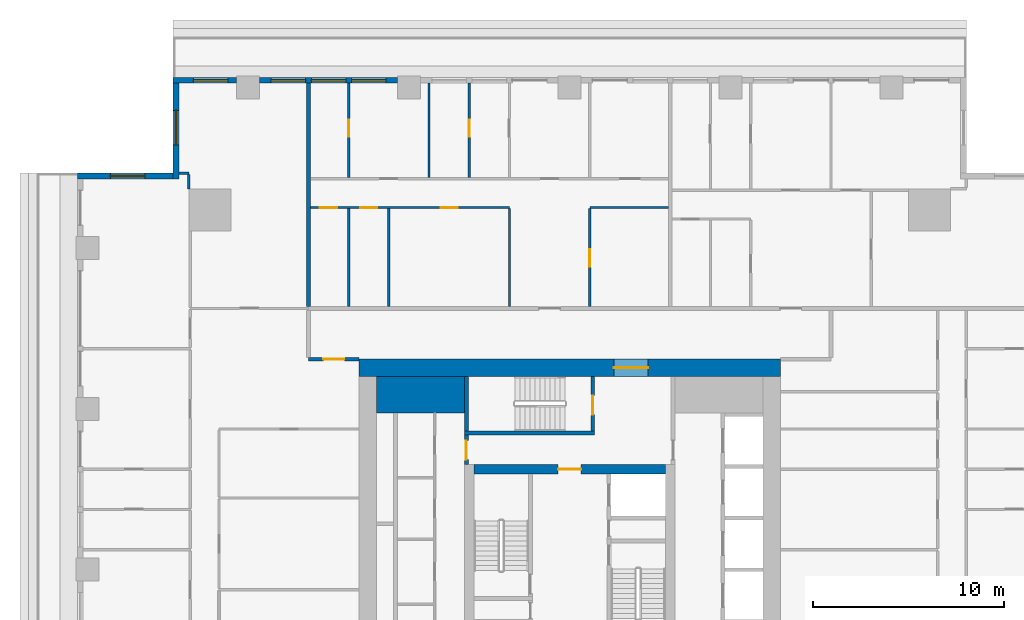
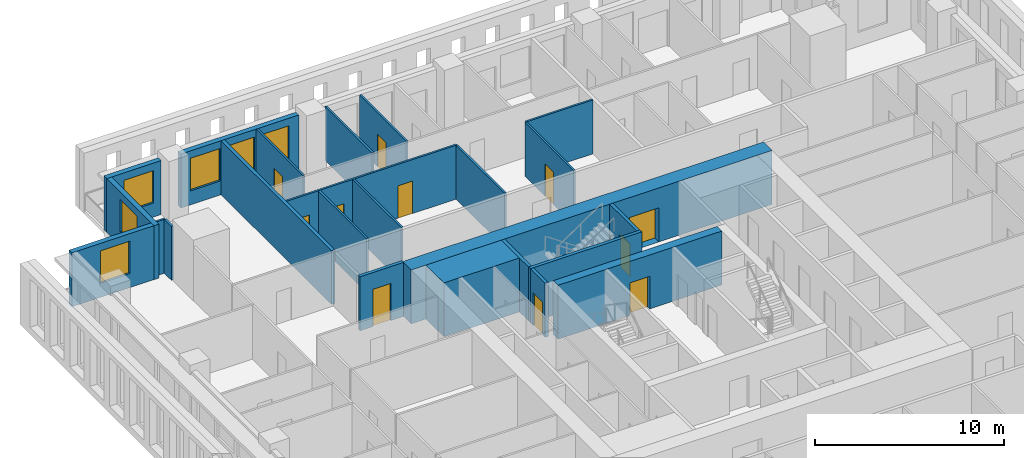
# One storey, part 7 of 15: 24 walls, 11 doors, 6 windows, 17 openings.
"""IFC4 building model written with IfcOpenShell, lengths in metres."""

from ifc_helpers import new_model, si_unit, direction, frame, frame_2d, origin, place, context, subcontext, project, spatial, rectangle, extrude, material, layer, layer_set, type_object, element, fill, save


model = new_model("IFC4")

# Units and contexts
model_context = context("Model", 3, precision=1e-05, world=origin(), true_north=direction((0.0, 1.0)))
body_context = subcontext(model_context, "Body", "Model", "MODEL_VIEW")
ifc_project = project(units=[si_unit("LENGTHUNIT", "METRE"), si_unit("AREAUNIT", "SQUARE_METRE"), si_unit("VOLUMEUNIT", "CUBIC_METRE"), si_unit("PLANEANGLEUNIT", "RADIAN"), si_unit("MASSUNIT", "GRAM", prefix="KILO")], contexts=[model_context])

# Site, building, storey
site_placement = place(None, origin())
site = spatial("IfcSite", under=ifc_project, at=site_placement, CompositionType="ELEMENT")
building_placement = place(site_placement, origin())
building = spatial("IfcBuilding", under=site, at=building_placement, Name="Khepri Terraces", CompositionType="ELEMENT")
storey_placement = place(building_placement, frame((0.0, 0.0, 244.5)))
storey = spatial("IfcBuildingStorey", under=building, at=storey_placement, Name="L58", CompositionType="ELEMENT", Elevation=244.5)

# Walls
ifc_material_1 = material(Name="Concrete C40/50", Category="concrete")
ifc_layer_1 = layer(ifc_material_1, 1.89990234375, Name="Concrete C40/50", Category="concrete")
ifc_layer_set_1 = layer_set([ifc_layer_1], Name="Concrete C40/50")
wall_type_1 = type_object("IfcWallType", Name="Core wall 1900 C40/50", PredefinedType="SHEAR", material=ifc_layer_set_1)
wall_1_placement = place(storey_placement, frame((-10.10009765625, 9.14990234375, 0.0), z_axis=(0.0, 0.0, 1.0), x_axis=(1.0, 0.0, 0.0)))
element("IfcWall", 1, at=wall_1_placement, inside=storey, type_object=wall_type_1, Name="Core wall PR03 L58", PredefinedType="SHEAR", context=body_context, shape_type="SweptSolid", body=[
    extrude(rectangle(XDim=4.60009765625, YDim=1.89990234375, at=frame_2d((2.300048828125, 0.0))), origin(), (0.0, 0.0, 1.0), 3.47998046875),
])
ifc_layer_2 = layer(ifc_material_1, 0.199951171875, Name="Concrete C40/50", Category="concrete")
ifc_layer_set_2 = layer_set([ifc_layer_2], Name="Concrete C40/50")
wall_type_2 = type_object("IfcWallType", Name="Core wall 200 C40/50", PredefinedType="SHEAR", material=ifc_layer_set_2)
wall_2_placement = place(storey_placement, frame((-5.5, 7.14990234375, 0.0), z_axis=(0.0, 0.0, 1.0), x_axis=(1.0, 0.0, 0.0)))
element("IfcWall", 2, at=wall_2_placement, inside=storey, type_object=wall_type_2, Name="Core wall ST05 L58", PredefinedType="SHEAR", context=body_context, shape_type="SweptSolid", body=[
    extrude(rectangle(XDim=6.800048828125, YDim=0.199951171875, at=frame_2d((3.39990234375, 0.0))), origin(), (0.0, 0.0, 1.0), 3.47998046875),
])
wall_3_placement = place(storey_placement, frame((-5.39990234375, 7.25, 0.0), z_axis=(0.0, 0.0, 1.0), x_axis=(0.0, 1.0, 0.0)))
element("IfcWall", 3, at=wall_3_placement, inside=storey, type_object=wall_type_2, Name="Core wall ST06 L58", PredefinedType="SHEAR", context=body_context, shape_type="SweptSolid", body=[
    extrude(rectangle(XDim=2.85009765625, YDim=0.199951171875, at=frame_2d((1.425048828125, 0.0))), origin(), (0.0, 0.0, 1.0), 3.47998046875),
])

# Wall, opening, door
wall_4_placement = place(storey_placement, frame((1.199951171875, 7.25, 0.0), z_axis=(0.0, 0.0, 1.0), x_axis=(0.0, 1.0, 0.0)))
wall_4 = element("IfcWall", 4, at=wall_4_placement, inside=storey, type_object=wall_type_2, Name="Core wall ST07 L58", PredefinedType="SHEAR", context=body_context, shape_type="SweptSolid", body=[
    extrude(rectangle(XDim=2.85009765625, YDim=0.199951171875, at=frame_2d((1.425048828125, 0.0))), origin(), (0.0, 0.0, 1.0), 3.47998046875),
])
opening_1_placement = place(wall_4_placement, frame((0.85009765625, 0.0, 0.0)))
opening_1 = element("IfcOpeningElement", 5, at=opening_1_placement, cuts=wall_4, Name="Opening L58-C15", PredefinedType="OPENING", context=body_context, shape_type="SweptSolid", body=[
    extrude(rectangle(XDim=1.0, YDim=2.10009765625, at=frame_2d((0.5, 1.050048828125))), frame((0.0, 0.10986328125, 0.0), z_axis=(0.0, -1.0, 0.0), x_axis=(1.0, 0.0, 0.0)), (0.0, 0.0, 1.0), 0.219970703125),
])
ifc_material_2 = material(Name="Painted steel", Category="steel")
door_type_1 = type_object("IfcDoorType", Name="DR-CORE-STAIR-1000", OperationType="NOTDEFINED", PredefinedType="DOOR", material=ifc_material_2)
door_1_placement = place(opening_1_placement, origin())
door_1 = element("IfcDoor", 6, at=door_1_placement, inside=storey, type_object=door_type_1, Name="Stair door L58-C15", OperationType="SINGLE_SWING_LEFT", OverallHeight=2.10009765625, OverallWidth=1.0, PredefinedType="DOOR", context=body_context, shape_type="SweptSolid", body=[
    extrude(rectangle(XDim=1.0, YDim=2.10009765625, at=frame_2d((0.5, 1.050048828125))), frame((0.0, 0.02490234375, 0.0), z_axis=(0.0, -1.0, 0.0), x_axis=(1.0, 0.0, 0.0)), (0.0, 0.0, 1.0), 0.050048828125),
])
fill(opening_1, door_1)

ifc_layer_3 = layer(ifc_material_1, 0.5, Name="Concrete C40/50", Category="concrete")
ifc_layer_set_3 = layer_set([ifc_layer_3], Name="Concrete C40/50")
wall_type_3 = type_object("IfcWallType", Name="Core wall 500 C40/50", PredefinedType="SHEAR", material=ifc_layer_set_3)
wall_5_placement = place(storey_placement, frame((-5.0, 5.25, 0.0), z_axis=(0.0, 0.0, 1.0), x_axis=(1.0, 0.0, 0.0)))
wall_5 = element("IfcWall", 7, at=wall_5_placement, inside=storey, type_object=wall_type_3, Name="Core wall BX04 L58", PredefinedType="SHEAR", context=body_context, shape_type="SweptSolid", body=[
    extrude(rectangle(XDim=10.0, YDim=0.5, at=frame_2d((5.0, 0.0))), origin(), (0.0, 0.0, 1.0), 3.47998046875),
])
opening_2_placement = place(wall_5_placement, frame((4.39990234375, 0.0, 0.0)))
opening_2 = element("IfcOpeningElement", 8, at=opening_2_placement, cuts=wall_5, Name="Opening L58-C13", PredefinedType="OPENING", context=body_context, shape_type="SweptSolid", body=[
    extrude(rectangle(XDim=1.199951171875, YDim=2.10009765625, at=frame_2d((0.60009765625, 1.050048828125))), frame((0.0, 0.260009765625, 0.0), z_axis=(0.0, -1.0, 0.0), x_axis=(1.0, 0.0, 0.0)), (0.0, 0.0, 1.0), 0.52001953125),
])
door_type_2 = type_object("IfcDoorType", Name="DR-CORE-FF-LOBBY-1200", OperationType="NOTDEFINED", PredefinedType="DOOR", material=ifc_material_2)
door_2_placement = place(opening_2_placement, frame((1.199951171875, 0.0, 0.0), z_axis=(0.0, 0.0, 1.0), x_axis=(-1.0, 0.0, 0.0)))
door_2 = element("IfcDoor", 9, at=door_2_placement, inside=storey, type_object=door_type_2, Name="Firefighting lobby door L58-C13", OperationType="SINGLE_SWING_LEFT", OverallHeight=2.10009765625, OverallWidth=1.199951171875, PredefinedType="DOOR", context=body_context, shape_type="SweptSolid", body=[
    extrude(rectangle(XDim=1.199951171875, YDim=2.10009765625, at=frame_2d((0.60009765625, 1.050048828125))), frame((0.0, 0.02490234375, 0.0), z_axis=(0.0, -1.0, 0.0), x_axis=(1.0, 0.0, 0.0)), (0.0, 0.0, 1.0), 0.050048828125),
])
fill(opening_2, door_2)

ifc_layer_4 = layer(ifc_material_1, 0.89990234375, Name="Concrete C40/50", Category="concrete")
ifc_layer_set_4 = layer_set([ifc_layer_4], Name="Concrete C40/50")
wall_type_4 = type_object("IfcWallType", Name="Core wall 900 C40/50", PredefinedType="SHEAR", material=ifc_layer_set_4)
wall_6_placement = place(storey_placement, frame((-11.0, 10.550048828125, 0.0), z_axis=(0.0, 0.0, 1.0), x_axis=(1.0, 0.0, 0.0)))
wall_6 = element("IfcWall", 10, at=wall_6_placement, inside=storey, type_object=wall_type_4, Name="Core wall OW-N L58", PredefinedType="SHEAR", context=body_context, shape_type="SweptSolid", body=[
    extrude(rectangle(XDim=22.0, YDim=0.89990234375, at=frame_2d((11.0, 0.0))), origin(), (0.0, 0.0, 1.0), 3.47998046875),
])
opening_3_placement = place(wall_6_placement, frame((13.300048828125, 0.0, 0.0)))
opening_3 = element("IfcOpeningElement", 11, at=opening_3_placement, cuts=wall_6, Name="Opening L58-C20", PredefinedType="OPENING", context=body_context, shape_type="SweptSolid", body=[
    extrude(rectangle(XDim=1.800048828125, YDim=2.199951171875, at=frame_2d((0.89990234375, 1.10009765625))), frame((0.0, 0.4599609375, 0.0), z_axis=(0.0, -1.0, 0.0), x_axis=(1.0, 0.0, 0.0)), (0.0, 0.0, 1.0), 0.919921875),
])
door_type_3 = type_object("IfcDoorType", Name="DR-CORE-ENTRANCE-1800", OperationType="NOTDEFINED", PredefinedType="DOOR", material=ifc_material_2)
door_3_placement = place(opening_3_placement, origin())
door_3 = element("IfcDoor", 12, at=door_3_placement, inside=storey, type_object=door_type_3, Name="Core entrance door pair L58-C20", OperationType="DOUBLE_DOOR_SINGLE_SWING", OverallHeight=2.199951171875, OverallWidth=1.800048828125, PredefinedType="DOOR", context=body_context, shape_type="SweptSolid", body=[
    extrude(rectangle(XDim=1.800048828125, YDim=2.199951171875, at=frame_2d((0.89990234375, 1.10009765625))), frame((0.0, 0.02490234375, 0.0), z_axis=(0.0, -1.0, 0.0), x_axis=(1.0, 0.0, 0.0)), (0.0, 0.0, 1.0), 0.050048828125),
])
fill(opening_3, door_3)

ifc_material_3 = material(Name="Fire-rated gypsum board partition")
ifc_layer_5 = layer(ifc_material_3, 0.199951171875, Name="Fire-rated gypsum board partition")
ifc_layer_set_5 = layer_set([ifc_layer_5], Name="Fire-rated gypsum board partition")
wall_type_5 = type_object("IfcWallType", Name="WL-CORE-PART-200", PredefinedType="PARTITIONING", material=ifc_layer_set_5)
wall_7_placement = place(storey_placement, frame((-5.39990234375, 5.5, 0.0), z_axis=(0.0, 0.0, 1.0), x_axis=(0.0, 1.0, 0.0)))
wall_7 = element("IfcWall", 13, at=wall_7_placement, inside=storey, type_object=wall_type_5, Name="Core partition PT12 L58", PredefinedType="PARTITIONING", context=body_context, shape_type="SweptSolid", body=[
    extrude(rectangle(XDim=1.550048828125, YDim=0.199951171875, at=frame_2d((0.77490234375, 0.0))), origin(), (0.0, 0.0, 1.0), 3.47998046875),
])
opening_4_placement = place(wall_7_placement, frame((0.25, 0.0, 0.0)))
opening_4 = element("IfcOpeningElement", 14, at=opening_4_placement, cuts=wall_7, Name="Opening L58-C16", PredefinedType="OPENING", context=body_context, shape_type="SweptSolid", body=[
    extrude(rectangle(XDim=1.0, YDim=2.10009765625, at=frame_2d((0.5, 1.050048828125))), frame((0.0, 0.10986328125, 0.0), z_axis=(0.0, -1.0, 0.0), x_axis=(1.0, 0.0, 0.0)), (0.0, 0.0, 1.0), 0.219970703125),
])
door_type_4 = type_object("IfcDoorType", Name="DR-CORE-LOBBY-1000", OperationType="NOTDEFINED", PredefinedType="DOOR", material=ifc_material_2)
door_4_placement = place(opening_4_placement, frame((1.0, 0.0, 0.0), z_axis=(0.0, 0.0, 1.0), x_axis=(-1.0, 0.0, 0.0)))
door_4 = element("IfcDoor", 15, at=door_4_placement, inside=storey, type_object=door_type_4, Name="Lobby door L58-C16", OperationType="SINGLE_SWING_RIGHT", OverallHeight=2.10009765625, OverallWidth=1.0, PredefinedType="DOOR", context=body_context, shape_type="SweptSolid", body=[
    extrude(rectangle(XDim=1.0, YDim=2.10009765625, at=frame_2d((0.5, 1.050048828125))), frame((0.0, 0.02490234375, 0.0), z_axis=(0.0, -1.0, 0.0), x_axis=(1.0, 0.0, 0.0)), (0.0, 0.0, 1.0), 0.050048828125),
])
fill(opening_4, door_4)

ifc_material_4 = material(Name="Fire-rated gypsum plasterboard partition, mineral wool")
ifc_layer_6 = layer(ifc_material_4, 0.199951171875, Name="Fire-rated gypsum plasterboard partition, mineral wool")
ifc_layer_set_6 = layer_set([ifc_layer_6], Name="Fire-rated gypsum plasterboard partition, mineral wool")
wall_type_6 = type_object("IfcWallType", Name="WL-CORR-200", PredefinedType="PARTITIONING", material=ifc_layer_set_6)
wall_8_placement = place(storey_placement, frame((-13.64990234375, 11.0, 0.0), z_axis=(0.0, 0.0, 1.0), x_axis=(1.0, 0.0, 0.0)))
wall_8 = element("IfcWall", 16, at=wall_8_placement, inside=storey, type_object=wall_type_6, Name="Partition P-074 L58", PredefinedType="PARTITIONING", context=body_context, shape_type="SweptSolid", body=[
    extrude(rectangle(XDim=2.64990234375, YDim=0.199951171875, at=frame_2d((1.324951171875, 0.0))), origin(), (0.0, 0.0, 1.0), 3.47998046875),
])
opening_5_placement = place(wall_8_placement, frame((0.77490234375, 0.0, 0.0)))
opening_5 = element("IfcOpeningElement", 17, at=opening_5_placement, cuts=wall_8, Name="Opening D1", PredefinedType="OPENING", context=body_context, shape_type="SweptSolid", body=[
    extrude(rectangle(XDim=1.10009765625, YDim=2.39990234375, at=frame_2d((0.550048828125, 1.199951171875))), frame((0.0, 0.10986328125, 0.0), z_axis=(0.0, -1.0, 0.0), x_axis=(1.0, 0.0, 0.0)), (0.0, 0.0, 1.0), 0.219970703125),
])
ifc_material_5 = material(Name="Solid-core timber door leaf, flat entrance door", Category="wood")
door_type_5 = type_object("IfcDoorType", Name="DR-ENT-1100", OperationType="NOTDEFINED", PredefinedType="DOOR", material=ifc_material_5)
door_5_placement = place(opening_5_placement, frame((1.10009765625, 0.0, 0.0), z_axis=(0.0, 0.0, 1.0), x_axis=(-1.0, 0.0, 0.0)))
door_5 = element("IfcDoor", 18, at=door_5_placement, inside=storey, type_object=door_type_5, Name="Flat D1 entrance door", OperationType="SINGLE_SWING_LEFT", OverallHeight=2.39990234375, OverallWidth=1.10009765625, PredefinedType="DOOR", context=body_context, shape_type="SweptSolid", body=[
    extrude(rectangle(XDim=1.10009765625, YDim=2.39990234375, at=frame_2d((0.550048828125, 1.199951171875))), frame((0.0, 0.02490234375, 0.0), z_axis=(0.0, -1.0, 0.0), x_axis=(1.0, 0.0, 0.0)), (0.0, 0.0, 1.0), 0.050048828125),
])
fill(opening_5, door_5)

# Wall
wall_9_placement = place(storey_placement, frame((-13.64990234375, 13.75, 0.0), z_axis=(0.0, 0.0, 1.0), x_axis=(0.0, 1.0, 0.0)))
element("IfcWall", 19, at=wall_9_placement, inside=storey, type_object=wall_type_6, Name="Partition P-085 L58", PredefinedType="PARTITIONING", context=body_context, shape_type="SweptSolid", body=[
    extrude(rectangle(XDim=11.669921875, YDim=0.199951171875, at=frame_2d((5.8349609375, 0.0))), origin(), (0.0, 0.0, 1.0), 3.47998046875),
])

# Wall, openings, windows
ifc_material_6 = material(Name="Precast concrete C50/60 warm stone", Category="masonry")
ifc_layer_7 = layer(ifc_material_6, 0.300048828125, Name="Precast concrete C50/60 warm stone", Category="masonry")
ifc_layer_set_7 = layer_set([ifc_layer_7], Name="Precast concrete C50/60 warm stone")
wall_type_7 = type_object("IfcWallType", Name="WL-EXT-PRECAST-300", PredefinedType="STANDARD", material=ifc_layer_set_7)
wall_10_placement = place(storey_placement, frame((-9.0, 25.570068359375, 0.0), z_axis=(0.0, 0.0, 1.0), x_axis=(-1.0, 0.0, 0.0)))
wall_10 = element("IfcWall", 20, at=wall_10_placement, inside=storey, type_object=wall_type_7, Name="External wall L58 N", PredefinedType="STANDARD", context=body_context, shape_type="SweptSolid", body=[
    extrude(rectangle(XDim=7.199951171875, YDim=0.300048828125, at=frame_2d((3.60009765625, 0.0))), origin(), (0.0, 0.0, 1.0), 3.47998046875),
])
opening_6_placement = place(wall_10_placement, frame((0.60009765625, 0.0, 0.89990234375)))
opening_6 = element("IfcOpeningElement", 21, at=opening_6_placement, cuts=wall_10, Name="Opening W1", PredefinedType="OPENING", context=body_context, shape_type="SweptSolid", body=[
    extrude(rectangle(XDim=1.800048828125, YDim=2.10009765625, at=frame_2d((0.89990234375, 1.050048828125))), frame((0.0, 0.16015625, 0.0), z_axis=(0.0, -1.0, 0.0), x_axis=(1.0, 0.0, 0.0)), (0.0, 0.0, 1.0), 0.320068359375),
])
opening_7_placement = place(wall_10_placement, frame((2.699951171875, 0.0, 0.89990234375)))
opening_7 = element("IfcOpeningElement", 22, at=opening_7_placement, cuts=wall_10, Name="Opening W1", PredefinedType="OPENING", context=body_context, shape_type="SweptSolid", body=[
    extrude(rectangle(XDim=1.800048828125, YDim=2.10009765625, at=frame_2d((0.89990234375, 1.050048828125))), frame((0.0, 0.16015625, 0.0), z_axis=(0.0, -1.0, 0.0), x_axis=(1.0, 0.0, 0.0)), (0.0, 0.0, 1.0), 0.320068359375),
])
opening_8_placement = place(wall_10_placement, frame((4.800048828125, 0.0, 0.89990234375)))
opening_8 = element("IfcOpeningElement", 23, at=opening_8_placement, cuts=wall_10, Name="Opening W1", PredefinedType="OPENING", context=body_context, shape_type="SweptSolid", body=[
    extrude(rectangle(XDim=1.800048828125, YDim=2.10009765625, at=frame_2d((0.89990234375, 1.050048828125))), frame((0.0, 0.16015625, 0.0), z_axis=(0.0, -1.0, 0.0), x_axis=(1.0, 0.0, 0.0)), (0.0, 0.0, 1.0), 0.320068359375),
])
ifc_material_7 = material(Name="Clear glass", Category="glass")
window_type = type_object("IfcWindowType", Name="WIN-RES-1800x2100", PartitioningType="SINGLE_PANEL", PredefinedType="WINDOW", material=ifc_material_7)
window_1_placement = place(opening_6_placement, origin())
window_1 = element("IfcWindow", 24, at=window_1_placement, inside=storey, type_object=window_type, Name="Window L58 N", OverallHeight=2.10009765625, OverallWidth=1.800048828125, PartitioningType="SINGLE_PANEL", PredefinedType="WINDOW", context=body_context, shape_type="SweptSolid", body=[
    extrude(rectangle(XDim=1.800048828125, YDim=2.10009765625, at=frame_2d((0.89990234375, 1.050048828125))), frame((0.0, 0.030029296875, 0.0), z_axis=(0.0, -1.0, 0.0), x_axis=(1.0, 0.0, 0.0)), (0.0, 0.0, 1.0), 0.06005859375),
])
fill(opening_6, window_1)
window_2_placement = place(opening_7_placement, origin())
window_2 = element("IfcWindow", 25, at=window_2_placement, inside=storey, type_object=window_type, Name="Window L58 N", OverallHeight=2.10009765625, OverallWidth=1.800048828125, PartitioningType="SINGLE_PANEL", PredefinedType="WINDOW", context=body_context, shape_type="SweptSolid", body=[
    extrude(rectangle(XDim=1.800048828125, YDim=2.10009765625, at=frame_2d((0.89990234375, 1.050048828125))), frame((0.0, 0.030029296875, 0.0), z_axis=(0.0, -1.0, 0.0), x_axis=(1.0, 0.0, 0.0)), (0.0, 0.0, 1.0), 0.06005859375),
])
fill(opening_7, window_2)
window_3_placement = place(opening_8_placement, origin())
window_3 = element("IfcWindow", 26, at=window_3_placement, inside=storey, type_object=window_type, Name="Window L58 N", OverallHeight=2.10009765625, OverallWidth=1.800048828125, PartitioningType="SINGLE_PANEL", PredefinedType="WINDOW", context=body_context, shape_type="SweptSolid", body=[
    extrude(rectangle(XDim=1.800048828125, YDim=2.10009765625, at=frame_2d((0.89990234375, 1.050048828125))), frame((0.0, 0.030029296875, 0.0), z_axis=(0.0, -1.0, 0.0), x_axis=(1.0, 0.0, 0.0)), (0.0, 0.0, 1.0), 0.06005859375),
])
fill(opening_8, window_3)

# Wall, opening, window
wall_11_placement = place(storey_placement, frame((-17.39990234375, 25.570068359375, 0.0), z_axis=(0.0, 0.0, 1.0), x_axis=(-1.0, 0.0, 0.0)))
wall_11 = element("IfcWall", 27, at=wall_11_placement, inside=storey, type_object=wall_type_7, Name="External wall L58 N", PredefinedType="STANDARD", context=body_context, shape_type="SweptSolid", body=[
    extrude(rectangle(XDim=3.320068359375, YDim=0.300048828125, at=frame_2d((1.66015625, 0.0))), origin(), (0.0, 0.0, 1.0), 3.47998046875),
])
opening_9_placement = place(wall_11_placement, frame((0.45947265625, 0.0, 0.89990234375)))
opening_9 = element("IfcOpeningElement", 28, at=opening_9_placement, cuts=wall_11, Name="Opening W1", PredefinedType="OPENING", context=body_context, shape_type="SweptSolid", body=[
    extrude(rectangle(XDim=1.800048828125, YDim=2.10009765625, at=frame_2d((0.89990234375, 1.050048828125))), frame((0.0, 0.16015625, 0.0), z_axis=(0.0, -1.0, 0.0), x_axis=(1.0, 0.0, 0.0)), (0.0, 0.0, 1.0), 0.320068359375),
])
window_4_placement = place(opening_9_placement, origin())
window_4 = element("IfcWindow", 29, at=window_4_placement, inside=storey, type_object=window_type, Name="Window L58 N", OverallHeight=2.10009765625, OverallWidth=1.800048828125, PartitioningType="SINGLE_PANEL", PredefinedType="WINDOW", context=body_context, shape_type="SweptSolid", body=[
    extrude(rectangle(XDim=1.800048828125, YDim=2.10009765625, at=frame_2d((0.89990234375, 1.050048828125))), frame((0.0, 0.030029296875, 0.0), z_axis=(0.0, -1.0, 0.0), x_axis=(1.0, 0.0, 0.0)), (0.0, 0.0, 1.0), 0.06005859375),
])
fill(opening_9, window_4)

wall_12_placement = place(storey_placement, frame((-20.570068359375, 25.419921875, 0.0), z_axis=(0.0, 0.0, 1.0), x_axis=(0.0, -1.0, 0.0)))
wall_12 = element("IfcWall", 30, at=wall_12_placement, inside=storey, type_object=wall_type_7, Name="External wall L58 W", PredefinedType="STANDARD", context=body_context, shape_type="SweptSolid", body=[
    extrude(rectangle(XDim=5.0, YDim=0.300048828125, at=frame_2d((2.5, 0.0))), origin(), (0.0, 0.0, 1.0), 3.47998046875),
])
opening_10_placement = place(wall_12_placement, frame((1.419921875, 0.0, 0.89990234375)))
opening_10 = element("IfcOpeningElement", 31, at=opening_10_placement, cuts=wall_12, Name="Opening W1", PredefinedType="OPENING", context=body_context, shape_type="SweptSolid", body=[
    extrude(rectangle(XDim=1.800048828125, YDim=2.10009765625, at=frame_2d((0.89990234375, 1.050048828125))), frame((0.0, 0.16015625, 0.0), z_axis=(0.0, -1.0, 0.0), x_axis=(1.0, 0.0, 0.0)), (0.0, 0.0, 1.0), 0.320068359375),
])
window_5_placement = place(opening_10_placement, origin())
window_5 = element("IfcWindow", 32, at=window_5_placement, inside=storey, type_object=window_type, Name="Window L58 W", OverallHeight=2.10009765625, OverallWidth=1.800048828125, PartitioningType="SINGLE_PANEL", PredefinedType="WINDOW", context=body_context, shape_type="SweptSolid", body=[
    extrude(rectangle(XDim=1.800048828125, YDim=2.10009765625, at=frame_2d((0.89990234375, 1.050048828125))), frame((0.0, 0.030029296875, 0.0), z_axis=(0.0, -1.0, 0.0), x_axis=(1.0, 0.0, 0.0)), (0.0, 0.0, 1.0), 0.06005859375),
])
fill(opening_10, window_5)

wall_13_placement = place(storey_placement, frame((-20.719970703125, 20.570068359375, 0.0), z_axis=(0.0, 0.0, 1.0), x_axis=(-1.0, 0.0, 0.0)))
wall_13 = element("IfcWall", 33, at=wall_13_placement, inside=storey, type_object=wall_type_7, Name="External wall L58 N", PredefinedType="STANDARD", context=body_context, shape_type="SweptSolid", body=[
    extrude(rectangle(XDim=5.0, YDim=0.300048828125, at=frame_2d((2.5, 0.0))), origin(), (0.0, 0.0, 1.0), 3.47998046875),
])
opening_11_placement = place(wall_13_placement, frame((1.47998046875, 0.0, 0.89990234375)))
opening_11 = element("IfcOpeningElement", 34, at=opening_11_placement, cuts=wall_13, Name="Opening W1", PredefinedType="OPENING", context=body_context, shape_type="SweptSolid", body=[
    extrude(rectangle(XDim=1.800048828125, YDim=2.10009765625, at=frame_2d((0.89990234375, 1.050048828125))), frame((0.0, 0.16015625, 0.0), z_axis=(0.0, -1.0, 0.0), x_axis=(1.0, 0.0, 0.0)), (0.0, 0.0, 1.0), 0.320068359375),
])
window_6_placement = place(opening_11_placement, origin())
window_6 = element("IfcWindow", 35, at=window_6_placement, inside=storey, type_object=window_type, Name="Window L58 N", OverallHeight=2.10009765625, OverallWidth=1.800048828125, PartitioningType="SINGLE_PANEL", PredefinedType="WINDOW", context=body_context, shape_type="SweptSolid", body=[
    extrude(rectangle(XDim=1.800048828125, YDim=2.10009765625, at=frame_2d((0.89990234375, 1.050048828125))), frame((0.0, 0.030029296875, 0.0), z_axis=(0.0, -1.0, 0.0), x_axis=(1.0, 0.0, 0.0)), (0.0, 0.0, 1.0), 0.06005859375),
])
fill(opening_11, window_6)

# Walls
ifc_material_8 = material(Name="Gypsum plasterboard partition")
ifc_layer_8 = layer(ifc_material_8, 0.1201171875, Name="Gypsum plasterboard partition")
ifc_layer_set_8 = layer_set([ifc_layer_8], Name="Gypsum plasterboard partition")
wall_type_8 = type_object("IfcWallType", Name="WL-PART-120", PredefinedType="PARTITIONING", material=ifc_layer_set_8)
for number, where, z_axis, x_axis, name in (
    (36, (-11.550048828125, 13.75, 0.0), (0.0, 0.0, 1.0), (0.0, 1.0, 0.0), "Partition P-086 L58"),
    (37, (-9.449951171875, 13.75, 0.0), (0.0, 0.0, 1.0), (0.0, 1.0, 0.0), "Partition P-087 L58"),
    (38, (-3.14990234375, 13.75, 0.0), (0.0, 0.0, 1.0), (0.0, 1.0, 0.0), "Partition P-088 L58"),
):
    element("IfcWall", number, at=place(storey_placement, frame(where, z_axis=z_axis, x_axis=x_axis)), inside=storey, type_object=wall_type_8, Name=name, PredefinedType="PARTITIONING", context=body_context, shape_type="SweptSolid", body=[
        extrude(rectangle(XDim=5.110107421875, YDim=0.1201171875, at=frame_2d((2.55517578125, 0.0))), origin(), (0.0, 0.0, 1.0), 3.47998046875),
    ])

# Wall, opening, door
wall_14_placement = place(storey_placement, frame((1.050048828125, 13.75, 0.0), z_axis=(0.0, 0.0, 1.0), x_axis=(0.0, 1.0, 0.0)))
wall_14 = element("IfcWall", 39, at=wall_14_placement, inside=storey, type_object=wall_type_8, Name="Partition P-089 L58", PredefinedType="PARTITIONING", context=body_context, shape_type="SweptSolid", body=[
    extrude(rectangle(XDim=5.110107421875, YDim=0.1201171875, at=frame_2d((2.55517578125, 0.0))), origin(), (0.0, 0.0, 1.0), 3.47998046875),
])
opening_12_placement = place(wall_14_placement, frame((2.0849609375, 0.0, 0.0)))
opening_12 = element("IfcOpeningElement", 40, at=opening_12_placement, cuts=wall_14, Name="Opening D4", PredefinedType="OPENING", context=body_context, shape_type="SweptSolid", body=[
    extrude(rectangle(XDim=0.89990234375, YDim=2.10009765625, at=frame_2d((0.449951171875, 1.050048828125))), frame((0.0, 0.070068359375, 0.0), z_axis=(0.0, -1.0, 0.0), x_axis=(1.0, 0.0, 0.0)), (0.0, 0.0, 1.0), 0.14013671875),
])
ifc_material_9 = material(Name="Timber door leaf, moisture resistant", Category="wood")
door_type_6 = type_object("IfcDoorType", Name="DR-WET-900", OperationType="NOTDEFINED", PredefinedType="DOOR", material=ifc_material_9)
door_6_placement = place(opening_12_placement, frame((0.89990234375, 0.0, 0.0), z_axis=(0.0, 0.0, 1.0), x_axis=(-1.0, 0.0, 0.0)))
door_6 = element("IfcDoor", 41, at=door_6_placement, inside=storey, type_object=door_type_6, Name="Door Guest Bathroom", OperationType="SINGLE_SWING_RIGHT", OverallHeight=2.10009765625, OverallWidth=0.89990234375, PredefinedType="DOOR", context=body_context, shape_type="SweptSolid", body=[
    extrude(rectangle(XDim=0.89990234375, YDim=2.10009765625, at=frame_2d((0.449951171875, 1.050048828125))), frame((0.0, 0.02490234375, 0.0), z_axis=(0.0, -1.0, 0.0), x_axis=(1.0, 0.0, 0.0)), (0.0, 0.0, 1.0), 0.050048828125),
])
fill(opening_12, door_6)

# Wall, openings, doors
wall_15_placement = place(storey_placement, frame((-13.550048828125, 18.919921875, 0.0), z_axis=(0.0, 0.0, 1.0), x_axis=(1.0, 0.0, 0.0)))
wall_15 = element("IfcWall", 42, at=wall_15_placement, inside=storey, type_object=wall_type_8, Name="Partition P-095 L58", PredefinedType="PARTITIONING", context=body_context, shape_type="SweptSolid", body=[
    extrude(rectangle(XDim=10.400146484375, YDim=0.1201171875, at=frame_2d((5.2001953125, 0.0))), origin(), (0.0, 0.0, 1.0), 3.47998046875),
])
opening_13_placement = place(wall_15_placement, frame((6.800048828125, 0.0, 0.0)))
opening_13 = element("IfcOpeningElement", 43, at=opening_13_placement, cuts=wall_15, Name="Opening D3", PredefinedType="OPENING", context=body_context, shape_type="SweptSolid", body=[
    extrude(rectangle(XDim=0.89990234375, YDim=2.10009765625, at=frame_2d((0.449951171875, 1.050048828125))), frame((0.0, 0.070068359375, 0.0), z_axis=(0.0, -1.0, 0.0), x_axis=(1.0, 0.0, 0.0)), (0.0, 0.0, 1.0), 0.14013671875),
])
opening_14_placement = place(wall_15_placement, frame((2.60009765625, 0.0, 0.0)))
opening_14 = element("IfcOpeningElement", 44, at=opening_14_placement, cuts=wall_15, Name="Opening D4", PredefinedType="OPENING", context=body_context, shape_type="SweptSolid", body=[
    extrude(rectangle(XDim=0.89990234375, YDim=2.10009765625, at=frame_2d((0.449951171875, 1.050048828125))), frame((0.0, 0.070068359375, 0.0), z_axis=(0.0, -1.0, 0.0), x_axis=(1.0, 0.0, 0.0)), (0.0, 0.0, 1.0), 0.14013671875),
])
opening_15_placement = place(wall_15_placement, frame((0.5, 0.0, 0.0)))
opening_15 = element("IfcOpeningElement", 45, at=opening_15_placement, cuts=wall_15, Name="Opening D3", PredefinedType="OPENING", context=body_context, shape_type="SweptSolid", body=[
    extrude(rectangle(XDim=0.89990234375, YDim=2.10009765625, at=frame_2d((0.449951171875, 1.050048828125))), frame((0.0, 0.070068359375, 0.0), z_axis=(0.0, -1.0, 0.0), x_axis=(1.0, 0.0, 0.0)), (0.0, 0.0, 1.0), 0.14013671875),
])
ifc_material_10 = material(Name="Timber door leaf", Category="wood")
door_type_7 = type_object("IfcDoorType", Name="DR-INT-900", OperationType="NOTDEFINED", PredefinedType="DOOR", material=ifc_material_10)
door_7_placement = place(opening_13_placement, frame((0.89990234375, 0.0, 0.0), z_axis=(0.0, 0.0, 1.0), x_axis=(-1.0, 0.0, 0.0)))
door_7 = element("IfcDoor", 46, at=door_7_placement, inside=storey, type_object=door_type_7, Name="Door Kitchen", OperationType="SINGLE_SWING_LEFT", OverallHeight=2.10009765625, OverallWidth=0.89990234375, PredefinedType="DOOR", context=body_context, shape_type="SweptSolid", body=[
    extrude(rectangle(XDim=0.89990234375, YDim=2.10009765625, at=frame_2d((0.449951171875, 1.050048828125))), frame((0.0, 0.02490234375, 0.0), z_axis=(0.0, -1.0, 0.0), x_axis=(1.0, 0.0, 0.0)), (0.0, 0.0, 1.0), 0.050048828125),
])
fill(opening_13, door_7)
door_8_placement = place(opening_15_placement, frame((0.89990234375, 0.0, 0.0), z_axis=(0.0, 0.0, 1.0), x_axis=(-1.0, 0.0, 0.0)))
door_8 = element("IfcDoor", 47, at=door_8_placement, inside=storey, type_object=door_type_7, Name="Door Utility Room", OperationType="SINGLE_SWING_RIGHT", OverallHeight=2.10009765625, OverallWidth=0.89990234375, PredefinedType="DOOR", context=body_context, shape_type="SweptSolid", body=[
    extrude(rectangle(XDim=0.89990234375, YDim=2.10009765625, at=frame_2d((0.449951171875, 1.050048828125))), frame((0.0, 0.02490234375, 0.0), z_axis=(0.0, -1.0, 0.0), x_axis=(1.0, 0.0, 0.0)), (0.0, 0.0, 1.0), 0.050048828125),
])
fill(opening_15, door_8)
door_9_placement = place(opening_14_placement, frame((0.89990234375, 0.0, 0.0), z_axis=(0.0, 0.0, 1.0), x_axis=(-1.0, 0.0, 0.0)))
door_9 = element("IfcDoor", 48, at=door_9_placement, inside=storey, type_object=door_type_6, Name="Door Powder Room", OperationType="SINGLE_SWING_RIGHT", OverallHeight=2.10009765625, OverallWidth=0.89990234375, PredefinedType="DOOR", context=body_context, shape_type="SweptSolid", body=[
    extrude(rectangle(XDim=0.89990234375, YDim=2.10009765625, at=frame_2d((0.449951171875, 1.050048828125))), frame((0.0, 0.02490234375, 0.0), z_axis=(0.0, -1.0, 0.0), x_axis=(1.0, 0.0, 0.0)), (0.0, 0.0, 1.0), 0.050048828125),
])
fill(opening_14, door_9)

# Walls
wall_16_placement = place(storey_placement, frame((1.050048828125, 18.919921875, 0.0), z_axis=(0.0, 0.0, 1.0), x_axis=(1.0, 0.0, 0.0)))
element("IfcWall", 49, at=wall_16_placement, inside=storey, type_object=wall_type_8, Name="Partition P-096 L58", PredefinedType="PARTITIONING", context=body_context, shape_type="SweptSolid", body=[
    extrude(rectangle(XDim=4.099853515625, YDim=0.1201171875, at=frame_2d((2.0498046875, 0.0))), origin(), (0.0, 0.0, 1.0), 3.47998046875),
])
wall_17_placement = place(storey_placement, frame((-19.90087890625, 19.89990234375, 0.0), z_axis=(0.0, 0.0, 1.0), x_axis=(0.0, 1.0, 0.0)))
element("IfcWall", 50, at=wall_17_placement, inside=storey, type_object=wall_type_8, Name="Partition P-101 L58", PredefinedType="PARTITIONING", context=body_context, shape_type="SweptSolid", body=[
    extrude(rectangle(XDim=0.759033203125, YDim=0.1201171875, at=frame_2d((0.37939453125, 0.0))), origin(), (0.0, 0.0, 1.0), 3.47998046875),
])

# Wall, opening, door
wall_18_placement = place(storey_placement, frame((-11.550048828125, 20.47998046875, 0.0), z_axis=(0.0, 0.0, 1.0), x_axis=(0.0, 1.0, 0.0)))
wall_18 = element("IfcWall", 51, at=wall_18_placement, inside=storey, type_object=wall_type_8, Name="Partition P-105 L58", PredefinedType="PARTITIONING", context=body_context, shape_type="SweptSolid", body=[
    extrude(rectangle(XDim=4.93994140625, YDim=0.1201171875, at=frame_2d((2.469970703125, 0.0))), origin(), (0.0, 0.0, 1.0), 3.47998046875),
])
opening_16_placement = place(wall_18_placement, frame((2.139892578125, 0.0, 0.0)))
opening_16 = element("IfcOpeningElement", 52, at=opening_16_placement, cuts=wall_18, Name="Opening D4", PredefinedType="OPENING", context=body_context, shape_type="SweptSolid", body=[
    extrude(rectangle(XDim=0.89990234375, YDim=2.10009765625, at=frame_2d((0.449951171875, 1.050048828125))), frame((0.0, 0.070068359375, 0.0), z_axis=(0.0, -1.0, 0.0), x_axis=(1.0, 0.0, 0.0)), (0.0, 0.0, 1.0), 0.14013671875),
])
door_10_placement = place(opening_16_placement, origin())
door_10 = element("IfcDoor", 53, at=door_10_placement, inside=storey, type_object=door_type_6, Name="Door Bathroom", OperationType="SINGLE_SWING_RIGHT", OverallHeight=2.10009765625, OverallWidth=0.89990234375, PredefinedType="DOOR", context=body_context, shape_type="SweptSolid", body=[
    extrude(rectangle(XDim=0.89990234375, YDim=2.10009765625, at=frame_2d((0.449951171875, 1.050048828125))), frame((0.0, 0.02490234375, 0.0), z_axis=(0.0, -1.0, 0.0), x_axis=(1.0, 0.0, 0.0)), (0.0, 0.0, 1.0), 0.050048828125),
])
fill(opening_16, door_10)

# Wall
wall_19_placement = place(storey_placement, frame((-7.35009765625, 20.47998046875, 0.0), z_axis=(0.0, 0.0, 1.0), x_axis=(0.0, 1.0, 0.0)))
element("IfcWall", 54, at=wall_19_placement, inside=storey, type_object=wall_type_8, Name="Partition P-106 L58", PredefinedType="PARTITIONING", context=body_context, shape_type="SweptSolid", body=[
    extrude(rectangle(XDim=4.93994140625, YDim=0.1201171875, at=frame_2d((2.469970703125, 0.0))), origin(), (0.0, 0.0, 1.0), 3.47998046875),
])

# Wall, opening, door
wall_20_placement = place(storey_placement, frame((-5.25, 20.47998046875, 0.0), z_axis=(0.0, 0.0, 1.0), x_axis=(0.0, 1.0, 0.0)))
wall_20 = element("IfcWall", 55, at=wall_20_placement, inside=storey, type_object=wall_type_8, Name="Partition P-107 L58", PredefinedType="PARTITIONING", context=body_context, shape_type="SweptSolid", body=[
    extrude(rectangle(XDim=4.93994140625, YDim=0.1201171875, at=frame_2d((2.469970703125, 0.0))), origin(), (0.0, 0.0, 1.0), 3.47998046875),
])
opening_17_placement = place(wall_20_placement, frame((2.139892578125, 0.0, 0.0)))
opening_17 = element("IfcOpeningElement", 56, at=opening_17_placement, cuts=wall_20, Name="Opening D4", PredefinedType="OPENING", context=body_context, shape_type="SweptSolid", body=[
    extrude(rectangle(XDim=0.89990234375, YDim=2.10009765625, at=frame_2d((0.449951171875, 1.050048828125))), frame((0.0, 0.070068359375, 0.0), z_axis=(0.0, -1.0, 0.0), x_axis=(1.0, 0.0, 0.0)), (0.0, 0.0, 1.0), 0.14013671875),
])
door_11_placement = place(opening_17_placement, origin())
door_11 = element("IfcDoor", 57, at=door_11_placement, inside=storey, type_object=door_type_6, Name="Door Bathroom", OperationType="SINGLE_SWING_RIGHT", OverallHeight=2.10009765625, OverallWidth=0.89990234375, PredefinedType="DOOR", context=body_context, shape_type="SweptSolid", body=[
    extrude(rectangle(XDim=0.89990234375, YDim=2.10009765625, at=frame_2d((0.449951171875, 1.050048828125))), frame((0.0, 0.02490234375, 0.0), z_axis=(0.0, -1.0, 0.0), x_axis=(1.0, 0.0, 0.0)), (0.0, 0.0, 1.0), 0.050048828125),
])
fill(opening_17, door_11)

# Wall
wall_21_placement = place(storey_placement, frame((-20.4208984375, 20.718994140625, 0.0), z_axis=(0.0, 0.0, 1.0), x_axis=(1.0, 0.0, 0.0)))
element("IfcWall", 58, at=wall_21_placement, inside=storey, type_object=wall_type_8, Name="Partition P-110 L58", PredefinedType="PARTITIONING", context=body_context, shape_type="SweptSolid", body=[
    extrude(rectangle(XDim=0.52001953125, YDim=0.1201171875, at=frame_2d((0.260009765625, 0.0))), origin(), (0.0, 0.0, 1.0), 3.47998046875),
])

save(model, "model.ifc")
